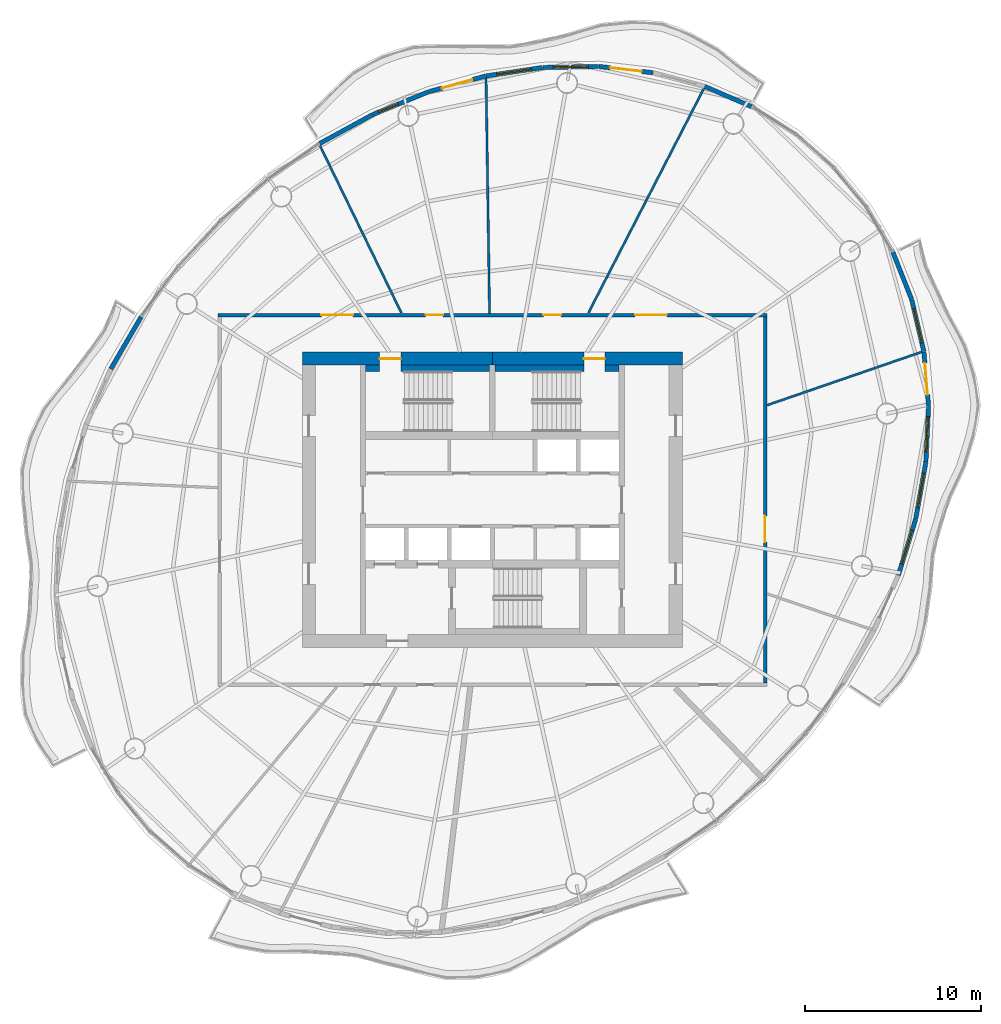
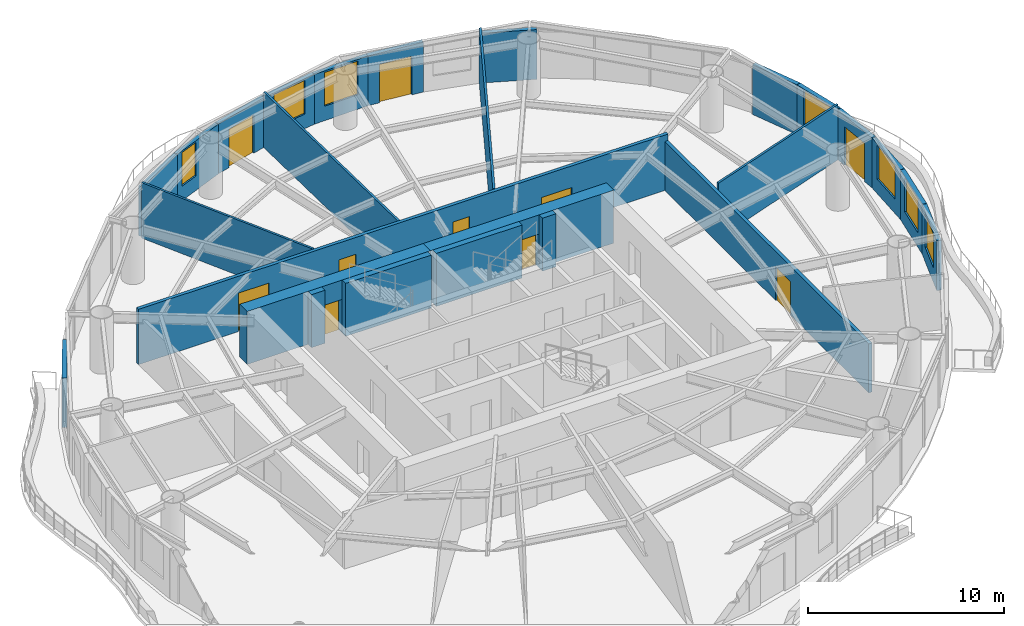
# One storey, part 10 of 14: 26 walls, 10 doors, 7 windows, 17 openings.
"""IFC4 building model written with IfcOpenShell, lengths in metres."""

from ifc_helpers import new_model, si_unit, direction, frame, frame_2d, origin, place, context, subcontext, project, spatial, rectangle, extrude, material, layer, layer_set, type_object, element, fill, save


model = new_model("IFC4")

# Units and contexts
model_context = context("Model", 3, precision=1e-05, world=origin(), true_north=direction((0.0, 1.0)))
body_context = subcontext(model_context, "Body", "Model", "MODEL_VIEW")
ifc_project = project(units=[si_unit("LENGTHUNIT", "METRE"), si_unit("AREAUNIT", "SQUARE_METRE"), si_unit("VOLUMEUNIT", "CUBIC_METRE"), si_unit("PLANEANGLEUNIT", "RADIAN"), si_unit("MASSUNIT", "GRAM", prefix="KILO")], contexts=[model_context])

# Site, building, storey
site_placement = place(None, origin())
site = spatial("IfcSite", under=ifc_project, at=site_placement, CompositionType="ELEMENT")
building_placement = place(site_placement, origin())
building = spatial("IfcBuilding", under=site, at=building_placement, Name="Vermilion Reach Broadcast Tower", CompositionType="ELEMENT")
storey_placement = place(building_placement, frame((0.0, 0.0, 210.10009765625)))
storey = spatial("IfcBuildingStorey", under=building, at=storey_placement, Name="L51", CompositionType="ELEMENT", Elevation=210.10009765625)

# Wall, opening, door
ifc_material_1 = material(Name="Concrete C60", Category="concrete")
ifc_layer_1 = layer(ifc_material_1, 0.75)
ifc_layer_set_1 = layer_set([ifc_layer_1], Name="Core outer wall 750 mm Concrete C60")
wall_type_1 = type_object("IfcWallType", Name="Core outer wall 750 mm Concrete C60", PredefinedType="SHEAR", material=ifc_layer_set_1)
wall_1_placement = place(storey_placement, frame((4.800048828125, 8.02490234375, 0.0), z_axis=(0.0, 0.0, 1.0), x_axis=(-1.0, 0.0, 0.0)))
wall_1 = element("IfcWall", 1, at=wall_1_placement, inside=storey, type_object=wall_type_1, Name="L51 core wall onE", PredefinedType="SHEAR", context=body_context, shape_type="SweptSolid", body=[
    extrude(rectangle(XDim=10.800048828125, YDim=0.75, at=frame_2d((5.39990234375, 0.0))), origin(), (0.0, 0.0, 1.0), 3.2998046875),
])
opening_1_placement = place(wall_1_placement, frame((4.39990234375, 0.0, 0.0)))
opening_1 = element("IfcOpeningElement", 2, at=opening_1_placement, cuts=wall_1, Name="Opening D01", PredefinedType="OPENING", context=body_context, shape_type="SweptSolid", body=[
    extrude(rectangle(XDim=1.199951171875, YDim=2.10009765625, at=frame_2d((0.60009765625, 1.050048828125))), frame((0.0, 0.385009765625, 0.0), z_axis=(0.0, -1.0, 0.0), x_axis=(1.0, 0.0, 0.0)), (0.0, 0.0, 1.0), 0.77001953125),
])
ifc_material_2 = material(Name="Painted steel fire door", Category="steel")
door_type_1 = type_object("IfcDoorType", Name="Stair door 1200 x 2100", OperationType="DOUBLE_DOOR_SINGLE_SWING", PredefinedType="NOTDEFINED", material=ifc_material_2)
door_1_placement = place(opening_1_placement, origin())
door_1 = element("IfcDoor", 3, at=door_1_placement, inside=storey, type_object=door_type_1, Name="L51 stair door ST2", OperationType="DOUBLE_DOOR_SINGLE_SWING", OverallHeight=2.10009765625, OverallWidth=1.199951171875, PredefinedType="NOTDEFINED", context=body_context, shape_type="SweptSolid", body=[
    extrude(rectangle(XDim=1.199951171875, YDim=2.10009765625, at=frame_2d((0.60009765625, 1.050048828125))), frame((0.0, 0.02490234375, 0.0), z_axis=(0.0, -1.0, 0.0), x_axis=(1.0, 0.0, 0.0)), (0.0, 0.0, 1.0), 0.050048828125),
])
fill(opening_1, door_1)

wall_2_placement = place(storey_placement, frame((-6.0, 8.02490234375, 0.0), z_axis=(0.0, 0.0, 1.0), x_axis=(-1.0, 0.0, 0.0)))
wall_2 = element("IfcWall", 4, at=wall_2_placement, inside=storey, type_object=wall_type_1, Name="L51 core wall onW", PredefinedType="SHEAR", context=body_context, shape_type="SweptSolid", body=[
    extrude(rectangle(XDim=10.800048828125, YDim=0.75, at=frame_2d((5.39990234375, 0.0))), origin(), (0.0, 0.0, 1.0), 3.2998046875),
])
opening_2_placement = place(wall_2_placement, frame((5.199951171875, 0.0, 0.0)))
opening_2 = element("IfcOpeningElement", 5, at=opening_2_placement, cuts=wall_2, Name="Opening D01", PredefinedType="OPENING", context=body_context, shape_type="SweptSolid", body=[
    extrude(rectangle(XDim=1.199951171875, YDim=2.10009765625, at=frame_2d((0.60009765625, 1.050048828125))), frame((0.0, 0.385009765625, 0.0), z_axis=(0.0, -1.0, 0.0), x_axis=(1.0, 0.0, 0.0)), (0.0, 0.0, 1.0), 0.77001953125),
])
door_2_placement = place(opening_2_placement, origin())
door_2 = element("IfcDoor", 6, at=door_2_placement, inside=storey, type_object=door_type_1, Name="L51 stair door ST1", OperationType="DOUBLE_DOOR_SINGLE_SWING", OverallHeight=2.10009765625, OverallWidth=1.199951171875, PredefinedType="NOTDEFINED", context=body_context, shape_type="SweptSolid", body=[
    extrude(rectangle(XDim=1.199951171875, YDim=2.10009765625, at=frame_2d((0.60009765625, 1.050048828125))), frame((0.0, 0.02490234375, 0.0), z_axis=(0.0, -1.0, 0.0), x_axis=(1.0, 0.0, 0.0)), (0.0, 0.0, 1.0), 0.050048828125),
])
fill(opening_2, door_2)

# Walls
ifc_material_3 = material(Name="Concrete C60", Category="concrete")
ifc_layer_2 = layer(ifc_material_3, 0.35009765625)
ifc_layer_set_2 = layer_set([ifc_layer_2], Name="Core stair wall 350 mm Concrete C60")
wall_type_2 = type_object("IfcWallType", Name="Core stair wall 350 mm Concrete C60", PredefinedType="SHEAR", material=ifc_layer_set_2)
wall_3_placement = place(storey_placement, frame((-13.199951171875, 7.47509765625, 0.0), z_axis=(0.0, 0.0, 1.0), x_axis=(1.0, 0.0, 0.0)))
element("IfcWall", 7, at=wall_3_placement, inside=storey, type_object=wall_type_2, Name="L51 core wall l1a", PredefinedType="SHEAR", context=body_context, shape_type="SweptSolid", body=[
    extrude(rectangle(XDim=0.800048828125, YDim=0.35009765625, at=frame_2d((0.39990234375, 0.0))), origin(), (0.0, 0.0, 1.0), 3.2998046875),
])
for number, where, z_axis, x_axis, name in (
    (8, (-11.199951171875, 7.47509765625, 0.0), (0.0, 0.0, 1.0), (1.0, 0.0, 0.0), "L51 core wall l1b"),
    (9, (-5.85009765625, 7.47509765625, 0.0), (0.0, 0.0, 1.0), (1.0, 0.0, 0.0), "L51 core wall l2a"),
):
    element("IfcWall", number, at=place(storey_placement, frame(where, z_axis=z_axis, x_axis=x_axis)), inside=storey, type_object=wall_type_2, Name=name, PredefinedType="SHEAR", context=body_context, shape_type="SweptSolid", body=[
        extrude(rectangle(XDim=5.050048828125, YDim=0.35009765625, at=frame_2d((2.52490234375, 0.0))), origin(), (0.0, 0.0, 1.0), 3.2998046875),
    ])
wall_4_placement = place(storey_placement, frame((0.39990234375, 7.47509765625, 0.0), z_axis=(0.0, 0.0, 1.0), x_axis=(1.0, 0.0, 0.0)))
element("IfcWall", 10, at=wall_4_placement, inside=storey, type_object=wall_type_2, Name="L51 core wall l2b", PredefinedType="SHEAR", context=body_context, shape_type="SweptSolid", body=[
    extrude(rectangle(XDim=0.800048828125, YDim=0.35009765625, at=frame_2d((0.39990234375, 0.0))), origin(), (0.0, 0.0, 1.0), 3.2998046875),
])

# Wall, openings, doors
ifc_material_4 = material(Name="Fire-rated gypsum board partition")
ifc_layer_3 = layer(ifc_material_4, 0.199951171875)
ifc_layer_set_3 = layer_set([ifc_layer_3], Name="Corridor wall 200 fire-rated")
wall_type_3 = type_object("IfcWallType", Name="Corridor wall 200 fire-rated", PredefinedType="PARTITIONING", material=ifc_layer_set_3)
wall_5_placement = place(storey_placement, frame((-21.60009765625, 10.5, 0.0), z_axis=(0.0, 0.0, 1.0), x_axis=(1.0, 0.0, 0.0)))
wall_5 = element("IfcWall", 11, at=wall_5_placement, inside=storey, type_object=wall_type_3, Name="Corridor wall 51.N", PredefinedType="PARTITIONING", context=body_context, shape_type="SweptSolid", body=[
    extrude(rectangle(XDim=31.2001953125, YDim=0.199951171875, at=frame_2d((15.60009765625, 0.0))), origin(), (0.0, 0.0, 1.0), 3.449951171875),
])
opening_3_placement = place(wall_5_placement, frame((18.5048828125, 0.0, 0.0)))
opening_3 = element("IfcOpeningElement", 12, at=opening_3_placement, cuts=wall_5, Name="Opening D23", PredefinedType="OPENING", context=body_context, shape_type="SweptSolid", body=[
    extrude(rectangle(XDim=1.0, YDim=2.39990234375, at=frame_2d((0.5, 1.199951171875))), frame((0.0, 0.10986328125, 0.0), z_axis=(0.0, -1.0, 0.0), x_axis=(1.0, 0.0, 0.0)), (0.0, 0.0, 1.0), 0.219970703125),
])
opening_4_placement = place(wall_5_placement, frame((11.807861328125, 0.0, 0.0)))
opening_4 = element("IfcOpeningElement", 13, at=opening_4_placement, cuts=wall_5, Name="Opening D23", PredefinedType="OPENING", context=body_context, shape_type="SweptSolid", body=[
    extrude(rectangle(XDim=1.0, YDim=2.39990234375, at=frame_2d((0.5, 1.199951171875))), frame((0.0, 0.10986328125, 0.0), z_axis=(0.0, -1.0, 0.0), x_axis=(1.0, 0.0, 0.0)), (0.0, 0.0, 1.0), 0.219970703125),
])
opening_5_placement = place(wall_5_placement, frame((5.885009765625, 0.0, 0.0)))
opening_5 = element("IfcOpeningElement", 14, at=opening_5_placement, cuts=wall_5, Name="Opening D27", PredefinedType="OPENING", context=body_context, shape_type="SweptSolid", body=[
    extrude(rectangle(XDim=1.800048828125, YDim=2.39990234375, at=frame_2d((0.89990234375, 1.199951171875))), frame((0.0, 0.10986328125, 0.0), z_axis=(0.0, -1.0, 0.0), x_axis=(1.0, 0.0, 0.0)), (0.0, 0.0, 1.0), 0.219970703125),
])
opening_6_placement = place(wall_5_placement, frame((23.721923828125, 0.0, 0.0)))
opening_6 = element("IfcOpeningElement", 15, at=opening_6_placement, cuts=wall_5, Name="Opening D21", PredefinedType="OPENING", context=body_context, shape_type="SweptSolid", body=[
    extrude(rectangle(XDim=1.800048828125, YDim=2.10009765625, at=frame_2d((0.89990234375, 1.050048828125))), frame((0.0, 0.10986328125, 0.0), z_axis=(0.0, -1.0, 0.0), x_axis=(1.0, 0.0, 0.0)), (0.0, 0.0, 1.0), 0.219970703125),
])
ifc_material_5 = material(Name="Timber door leaf", Category="wood")
door_type_2 = type_object("IfcDoorType", Name="Door pair 1800x2100", OperationType="NOTDEFINED", PredefinedType="DOOR", material=ifc_material_5)
door_3_placement = place(opening_6_placement, origin())
door_3 = element("IfcDoor", 16, at=door_3_placement, inside=storey, type_object=door_type_2, Name="Door 51.10", OperationType="DOUBLE_DOOR_SINGLE_SWING", OverallHeight=2.10009765625, OverallWidth=1.800048828125, PredefinedType="DOOR", context=body_context, shape_type="SweptSolid", body=[
    extrude(rectangle(XDim=1.800048828125, YDim=2.10009765625, at=frame_2d((0.89990234375, 1.050048828125))), frame((0.0, 0.02490234375, 0.0), z_axis=(0.0, -1.0, 0.0), x_axis=(1.0, 0.0, 0.0)), (0.0, 0.0, 1.0), 0.050048828125),
])
fill(opening_6, door_3)
ifc_material_6 = material(Name="Acoustic timber door leaf", Category="wood")
door_type_3 = type_object("IfcDoorType", Name="Door pair 1800x2400", OperationType="NOTDEFINED", PredefinedType="DOOR", material=ifc_material_6)
door_4_placement = place(opening_5_placement, origin())
door_4 = element("IfcDoor", 17, at=door_4_placement, inside=storey, type_object=door_type_3, Name="Door 51.03", OperationType="DOUBLE_DOOR_SINGLE_SWING", OverallHeight=2.39990234375, OverallWidth=1.800048828125, PredefinedType="DOOR", context=body_context, shape_type="SweptSolid", body=[
    extrude(rectangle(XDim=1.800048828125, YDim=2.39990234375, at=frame_2d((0.89990234375, 1.199951171875))), frame((0.0, 0.02490234375, 0.0), z_axis=(0.0, -1.0, 0.0), x_axis=(1.0, 0.0, 0.0)), (0.0, 0.0, 1.0), 0.050048828125),
])
fill(opening_5, door_4)
ifc_material_7 = material(Name="Veneered timber door leaf", Category="wood")
door_type_4 = type_object("IfcDoorType", Name="Door single 1000x2400", OperationType="NOTDEFINED", PredefinedType="DOOR", material=ifc_material_7)
door_5_placement = place(opening_3_placement, origin())
door_5 = element("IfcDoor", 18, at=door_5_placement, inside=storey, type_object=door_type_4, Name="Door 51.01", OperationType="SINGLE_SWING_RIGHT", OverallHeight=2.39990234375, OverallWidth=1.0, PredefinedType="DOOR", context=body_context, shape_type="SweptSolid", body=[
    extrude(rectangle(XDim=1.0, YDim=2.39990234375, at=frame_2d((0.5, 1.199951171875))), frame((0.0, 0.02490234375, 0.0), z_axis=(0.0, -1.0, 0.0), x_axis=(1.0, 0.0, 0.0)), (0.0, 0.0, 1.0), 0.050048828125),
])
fill(opening_3, door_5)
door_6_placement = place(opening_4_placement, origin())
door_6 = element("IfcDoor", 19, at=door_6_placement, inside=storey, type_object=door_type_4, Name="Door 51.02", OperationType="SINGLE_SWING_LEFT", OverallHeight=2.39990234375, OverallWidth=1.0, PredefinedType="DOOR", context=body_context, shape_type="SweptSolid", body=[
    extrude(rectangle(XDim=1.0, YDim=2.39990234375, at=frame_2d((0.5, 1.199951171875))), frame((0.0, 0.02490234375, 0.0), z_axis=(0.0, -1.0, 0.0), x_axis=(1.0, 0.0, 0.0)), (0.0, 0.0, 1.0), 0.050048828125),
])
fill(opening_4, door_6)

# Walls
ifc_material_8 = material(Name="Fire-rated plasterboard on steel stud", Category="steel")
ifc_layer_4 = layer(ifc_material_8, 0.125)
ifc_layer_set_4 = layer_set([ifc_layer_4], Name="Partition 125 fire-rated stud")
wall_type_4 = type_object("IfcWallType", Name="Partition 125 fire-rated stud", PredefinedType="PARTITIONING", material=ifc_layer_set_4)
wall_6_placement = place(storey_placement, frame((6.025146484375, 23.376708984375, 0.0), z_axis=(0.0, 0.0, 1.0), x_axis=(-0.457443054826, -0.889238917047, 0.0)))
element("IfcWall", 20, at=wall_6_placement, inside=storey, type_object=wall_type_4, Name="Partition 51.01", PredefinedType="PARTITIONING", context=body_context, shape_type="SweptSolid", body=[
    extrude(rectangle(XDim=14.3359375, YDim=0.125, at=frame_2d((7.16796875, 0.0))), origin(), (0.0, 0.0, 1.0), 3.449951171875),
])
wall_7_placement = place(storey_placement, frame((-6.354736328125, 23.9619140625, 0.0), z_axis=(0.0, 0.0, 1.0), x_axis=(0.014799117337, -0.999890487066, 0.0)))
element("IfcWall", 21, at=wall_7_placement, inside=storey, type_object=wall_type_4, Name="Partition 51.02", PredefinedType="PARTITIONING", context=body_context, shape_type="SweptSolid", body=[
    extrude(rectangle(XDim=13.362548828125, YDim=0.125, at=frame_2d((6.68115234375, 0.0))), origin(), (0.0, 0.0, 1.0), 3.449951171875),
])
wall_8_placement = place(storey_placement, frame((-15.788818359375, 20.11962890625, 0.0), z_axis=(0.0, 0.0, 1.0), x_axis=(0.437510703661, -0.899213202851, 0.0)))
element("IfcWall", 22, at=wall_8_placement, inside=storey, type_object=wall_type_4, Name="Partition 51.03", PredefinedType="PARTITIONING", context=body_context, shape_type="SweptSolid", body=[
    extrude(rectangle(XDim=10.55615234375, YDim=0.125, at=frame_2d((5.278076171875, 0.0))), origin(), (0.0, 0.0, 1.0), 3.449951171875),
])
wall_9_placement = place(storey_placement, frame((18.40234375, 8.4033203125, 0.0), z_axis=(0.0, 0.0, 1.0), x_axis=(-0.945508934878, -0.325596151798, 0.0)))
element("IfcWall", 23, at=wall_9_placement, inside=storey, type_object=wall_type_4, Name="Partition 51.10", PredefinedType="PARTITIONING", context=body_context, shape_type="SweptSolid", body=[
    extrude(rectangle(XDim=9.2880859375, YDim=0.125, at=frame_2d((4.64404296875, 0.0))), origin(), (0.0, 0.0, 1.0), 3.449951171875),
])
ifc_material_9 = material(Name="Terracotta rainscreen cladding", Category="masonry")
ifc_layer_5 = layer(ifc_material_9, 0.25)
ifc_layer_set_5 = layer_set([ifc_layer_5], Name="Terracotta rainscreen wall 250")
wall_type_5 = type_object("IfcWallType", Name="Terracotta rainscreen wall 250", PredefinedType="SOLIDWALL", material=ifc_layer_set_5)
wall_10_placement = place(storey_placement, frame((8.73486328125, 22.34326171875, 0.0), z_axis=(0.0, 0.0, 1.0), x_axis=(-0.918186540839, 0.396148300794, 0.0)))
element("IfcWall", 24, at=wall_10_placement, inside=storey, type_object=wall_type_5, Name="External wall L51 02", PredefinedType="SOLIDWALL", context=body_context, shape_type="SweptSolid", body=[
    extrude(rectangle(XDim=2.8935546875, YDim=0.25, at=frame_2d((1.44677734375, 0.0))), origin(), (0.0, 0.0, 1.0), 3.099853515625),
])

# Wall, opening, door
wall_11_placement = place(storey_placement, frame((3.12548828125, 24.269775390625, 0.0), z_axis=(0.0, 0.0, 1.0), x_axis=(-0.993285162652, 0.115691770042, 0.0)))
wall_11 = element("IfcWall", 25, at=wall_11_placement, inside=storey, type_object=wall_type_5, Name="External wall L51 04", PredefinedType="SOLIDWALL", context=body_context, shape_type="SweptSolid", body=[
    extrude(rectangle(XDim=3.0810546875, YDim=0.25, at=frame_2d((1.54052734375, 0.0))), origin(), (0.0, 0.0, 1.0), 3.099853515625),
])
opening_7_placement = place(wall_11_placement, frame((0.64111328125, 0.0, 0.0)))
opening_7 = element("IfcOpeningElement", 26, at=opening_7_placement, cuts=wall_11, Name="Opening D70", PredefinedType="OPENING", context=body_context, shape_type="SweptSolid", body=[
    extrude(rectangle(XDim=1.800048828125, YDim=2.39990234375, at=frame_2d((0.89990234375, 1.199951171875))), frame((0.0, 0.135009765625, 0.0), z_axis=(0.0, -1.0, 0.0), x_axis=(1.0, 0.0, 0.0)), (0.0, 0.0, 1.0), 0.27001953125),
])
ifc_material_10 = material(Name="Low-e laminated clear glass in aluminium frame", Category="aluminium")
door_type_5 = type_object("IfcDoorType", Name="Balcony sliding door 1800 x 2400", OperationType="DOUBLE_DOOR_SLIDING", PredefinedType="DOOR", material=ifc_material_10)
door_7_placement = place(opening_7_placement, origin())
door_7 = element("IfcDoor", 27, at=door_7_placement, inside=storey, type_object=door_type_5, Name="Balcony door L51 run 01", OperationType="DOUBLE_DOOR_SLIDING", OverallHeight=2.39990234375, OverallWidth=1.800048828125, PredefinedType="DOOR", context=body_context, shape_type="SweptSolid", body=[
    extrude(rectangle(XDim=1.800048828125, YDim=2.39990234375, at=frame_2d((0.89990234375, 1.199951171875))), frame((0.0, 0.02490234375, 0.0), z_axis=(0.0, -1.0, 0.0), x_axis=(1.0, 0.0, 0.0)), (0.0, 0.0, 1.0), 0.050048828125),
])
fill(opening_7, door_7)

# Wall, opening, window
wall_12_placement = place(storey_placement, frame((0.040283203125, 24.62744140625, 0.0), z_axis=(0.0, 0.0, 1.0), x_axis=(-0.999814312732, -0.019270185659, 0.0)))
wall_12 = element("IfcWall", 28, at=wall_12_placement, inside=storey, type_object=wall_type_5, Name="External wall L51 05", PredefinedType="SOLIDWALL", context=body_context, shape_type="SweptSolid", body=[
    extrude(rectangle(XDim=3.167236328125, YDim=0.25, at=frame_2d((1.58349609375, 0.0))), origin(), (0.0, 0.0, 1.0), 3.099853515625),
])
opening_8_placement = place(wall_12_placement, frame((0.583740234375, 0.0, 0.89990234375)))
opening_8 = element("IfcOpeningElement", 29, at=opening_8_placement, cuts=wall_12, Name="Opening W03", PredefinedType="OPENING", context=body_context, shape_type="SweptSolid", body=[
    extrude(rectangle(XDim=2.0, YDim=2.10009765625, at=frame_2d((1.0, 1.050048828125))), frame((0.0, 0.135009765625, 0.0), z_axis=(0.0, -1.0, 0.0), x_axis=(1.0, 0.0, 0.0)), (0.0, 0.0, 1.0), 0.27001953125),
])
ifc_material_11 = material(Name="Low-e laminated clear glass in aluminium frame", Category="aluminium")
window_type_1 = type_object("IfcWindowType", Name="Punched window 2000 x 2100 sill 900", PartitioningType="SINGLE_PANEL", PredefinedType="WINDOW", material=ifc_material_11)
window_1_placement = place(opening_8_placement, origin())
window_1 = element("IfcWindow", 30, at=window_1_placement, inside=storey, type_object=window_type_1, Name="Window L51 05", OverallHeight=2.10009765625, OverallWidth=2.0, PartitioningType="SINGLE_PANEL", PredefinedType="WINDOW", context=body_context, shape_type="SweptSolid", body=[
    extrude(rectangle(XDim=2.0, YDim=2.10009765625, at=frame_2d((1.0, 1.050048828125))), frame((0.0, 0.030029296875, 0.0), z_axis=(0.0, -1.0, 0.0), x_axis=(1.0, 0.0, 0.0)), (0.0, 0.0, 1.0), 0.06005859375),
])
fill(opening_8, window_1)

wall_13_placement = place(storey_placement, frame((-3.150390625, 24.564453125, 0.0), z_axis=(0.0, 0.0, 1.0), x_axis=(-0.989129217208, -0.147048943092, 0.0)))
wall_13 = element("IfcWall", 31, at=wall_13_placement, inside=storey, type_object=wall_type_5, Name="External wall L51 06", PredefinedType="SOLIDWALL", context=body_context, shape_type="SweptSolid", body=[
    extrude(rectangle(XDim=3.254150390625, YDim=0.25, at=frame_2d((1.626953125, 0.0))), origin(), (0.0, 0.0, 1.0), 3.099853515625),
])
opening_9_placement = place(wall_13_placement, frame((0.626953125, 0.0, 0.89990234375)))
opening_9 = element("IfcOpeningElement", 32, at=opening_9_placement, cuts=wall_13, Name="Opening W03", PredefinedType="OPENING", context=body_context, shape_type="SweptSolid", body=[
    extrude(rectangle(XDim=2.0, YDim=2.10009765625, at=frame_2d((1.0, 1.050048828125))), frame((0.0, 0.135009765625, 0.0), z_axis=(0.0, -1.0, 0.0), x_axis=(1.0, 0.0, 0.0)), (0.0, 0.0, 1.0), 0.27001953125),
])
window_2_placement = place(opening_9_placement, origin())
window_2 = element("IfcWindow", 33, at=window_2_placement, inside=storey, type_object=window_type_1, Name="Window L51 06", OverallHeight=2.10009765625, OverallWidth=2.0, PartitioningType="SINGLE_PANEL", PredefinedType="WINDOW", context=body_context, shape_type="SweptSolid", body=[
    extrude(rectangle(XDim=2.0, YDim=2.10009765625, at=frame_2d((1.0, 1.050048828125))), frame((0.0, 0.030029296875, 0.0), z_axis=(0.0, -1.0, 0.0), x_axis=(1.0, 0.0, 0.0)), (0.0, 0.0, 1.0), 0.06005859375),
])
fill(opening_9, window_2)

# Wall, opening, door
wall_14_placement = place(storey_placement, frame((-6.391845703125, 24.0810546875, 0.0), z_axis=(0.0, 0.0, 1.0), x_axis=(-0.963820322112, -0.266552784048, 0.0)))
wall_14 = element("IfcWall", 34, at=wall_14_placement, inside=storey, type_object=wall_type_5, Name="External wall L51 07", PredefinedType="SOLIDWALL", context=body_context, shape_type="SweptSolid", body=[
    extrude(rectangle(XDim=3.335693359375, YDim=0.25, at=frame_2d((1.66796875, 0.0))), origin(), (0.0, 0.0, 1.0), 3.099853515625),
])
opening_10_placement = place(wall_14_placement, frame((0.76806640625, 0.0, 0.0)))
opening_10 = element("IfcOpeningElement", 35, at=opening_10_placement, cuts=wall_14, Name="Opening D70", PredefinedType="OPENING", context=body_context, shape_type="SweptSolid", body=[
    extrude(rectangle(XDim=1.800048828125, YDim=2.39990234375, at=frame_2d((0.89990234375, 1.199951171875))), frame((0.0, 0.135009765625, 0.0), z_axis=(0.0, -1.0, 0.0), x_axis=(1.0, 0.0, 0.0)), (0.0, 0.0, 1.0), 0.27001953125),
])
door_8_placement = place(opening_10_placement, origin())
door_8 = element("IfcDoor", 36, at=door_8_placement, inside=storey, type_object=door_type_5, Name="Balcony door L51 run 02", OperationType="DOUBLE_DOOR_SLIDING", OverallHeight=2.39990234375, OverallWidth=1.800048828125, PredefinedType="DOOR", context=body_context, shape_type="SweptSolid", body=[
    extrude(rectangle(XDim=1.800048828125, YDim=2.39990234375, at=frame_2d((0.89990234375, 1.199951171875))), frame((0.0, 0.02490234375, 0.0), z_axis=(0.0, -1.0, 0.0), x_axis=(1.0, 0.0, 0.0)), (0.0, 0.0, 1.0), 0.050048828125),
])
fill(opening_10, door_8)

# Wall, opening, window
wall_15_placement = place(storey_placement, frame((-9.62841796875, 23.1845703125, 0.0), z_axis=(0.0, 0.0, 1.0), x_axis=(-0.926160966141, -0.377128446019, 0.0)))
wall_15 = element("IfcWall", 37, at=wall_15_placement, inside=storey, type_object=wall_type_5, Name="External wall L51 08", PredefinedType="SOLIDWALL", context=body_context, shape_type="SweptSolid", body=[
    extrude(rectangle(XDim=3.406982421875, YDim=0.25, at=frame_2d((1.70361328125, 0.0))), origin(), (0.0, 0.0, 1.0), 3.099853515625),
])
opening_11_placement = place(wall_15_placement, frame((1.85400390625, 0.0, 0.89990234375)))
opening_11 = element("IfcOpeningElement", 38, at=opening_11_placement, cuts=wall_15, Name="Opening W05", PredefinedType="OPENING", context=body_context, shape_type="SweptSolid", body=[
    extrude(rectangle(XDim=1.199951171875, YDim=2.10009765625, at=frame_2d((0.60009765625, 1.050048828125))), frame((0.0, 0.135009765625, 0.0), z_axis=(0.0, -1.0, 0.0), x_axis=(1.0, 0.0, 0.0)), (0.0, 0.0, 1.0), 0.27001953125),
])
ifc_material_12 = material(Name="Low-e laminated clear glass in aluminium frame", Category="aluminium")
window_type_2 = type_object("IfcWindowType", Name="Punched window 1200 x 2100 sill 900", PartitioningType="SINGLE_PANEL", PredefinedType="WINDOW", material=ifc_material_12)
window_3_placement = place(opening_11_placement, origin())
window_3 = element("IfcWindow", 39, at=window_3_placement, inside=storey, type_object=window_type_2, Name="Window L51 08", OverallHeight=2.10009765625, OverallWidth=1.199951171875, PartitioningType="SINGLE_PANEL", PredefinedType="WINDOW", context=body_context, shape_type="SweptSolid", body=[
    extrude(rectangle(XDim=1.199951171875, YDim=2.10009765625, at=frame_2d((0.60009765625, 1.050048828125))), frame((0.0, 0.030029296875, 0.0), z_axis=(0.0, -1.0, 0.0), x_axis=(1.0, 0.0, 0.0)), (0.0, 0.0, 1.0), 0.06005859375),
])
fill(opening_11, window_3)

# Walls
for number, where, z_axis, x_axis, name in (
    (40, (-12.803955078125, 21.89013671875, 0.0), (0.0, 0.0, 1.0), (-0.877865563138, -0.478907144503, 0.0), "External wall L51 09"),
    (41, (-25.9560546875, 10.395751953125, 0.0), (0.0, 0.0, 1.0), (-0.504456760021, -0.863436956164, 0.0), "External wall L51 14"),
):
    element("IfcWall", number, at=place(storey_placement, frame(where, z_axis=z_axis, x_axis=x_axis)), inside=storey, type_object=wall_type_5, Name=name, PredefinedType="SOLIDWALL", context=body_context, shape_type="SweptSolid", body=[
        extrude(rectangle(XDim=3.420166015625, YDim=0.25, at=frame_2d((1.7099609375, 0.0))), origin(), (0.0, 0.0, 1.0), 3.099853515625),
    ])

# Wall, opening, window
wall_16_placement = place(storey_placement, frame((17.076171875, -4.285400390625, 0.0), z_axis=(0.0, 0.0, 1.0), x_axis=(0.294651514305, 0.955604774537, 0.0)))
wall_16 = element("IfcWall", 42, at=wall_16_placement, inside=storey, type_object=wall_type_5, Name="External wall L51 40", PredefinedType="SOLIDWALL", context=body_context, shape_type="SweptSolid", body=[
    extrude(rectangle(XDim=3.3359375, YDim=0.25, at=frame_2d((1.66796875, 0.0))), origin(), (0.0, 0.0, 1.0), 3.099853515625),
])
opening_12_placement = place(wall_16_placement, frame((0.66796875, 0.0, 0.89990234375)))
opening_12 = element("IfcOpeningElement", 43, at=opening_12_placement, cuts=wall_16, Name="Opening W03", PredefinedType="OPENING", context=body_context, shape_type="SweptSolid", body=[
    extrude(rectangle(XDim=2.0, YDim=2.10009765625, at=frame_2d((1.0, 1.050048828125))), frame((0.0, 0.135009765625, 0.0), z_axis=(0.0, -1.0, 0.0), x_axis=(1.0, 0.0, 0.0)), (0.0, 0.0, 1.0), 0.27001953125),
])
window_4_placement = place(opening_12_placement, origin())
window_4 = element("IfcWindow", 44, at=window_4_placement, inside=storey, type_object=window_type_1, Name="Window L51 40", OverallHeight=2.10009765625, OverallWidth=2.0, PartitioningType="SINGLE_PANEL", PredefinedType="WINDOW", context=body_context, shape_type="SweptSolid", body=[
    extrude(rectangle(XDim=2.0, YDim=2.10009765625, at=frame_2d((1.0, 1.050048828125))), frame((0.0, 0.030029296875, 0.0), z_axis=(0.0, -1.0, 0.0), x_axis=(1.0, 0.0, 0.0)), (0.0, 0.0, 1.0), 0.06005859375),
])
fill(opening_12, window_4)

wall_17_placement = place(storey_placement, frame((18.064697265625, -1.0751953125, 0.0), z_axis=(0.0, 0.0, 1.0), x_axis=(0.176006154206, 0.984389066214, 0.0)))
wall_17 = element("IfcWall", 45, at=wall_17_placement, inside=storey, type_object=wall_type_5, Name="External wall L51 41", PredefinedType="SOLIDWALL", context=body_context, shape_type="SweptSolid", body=[
    extrude(rectangle(XDim=3.254150390625, YDim=0.25, at=frame_2d((1.626953125, 0.0))), origin(), (0.0, 0.0, 1.0), 3.099853515625),
])
opening_13_placement = place(wall_17_placement, frame((0.626953125, 0.0, 0.89990234375)))
opening_13 = element("IfcOpeningElement", 46, at=opening_13_placement, cuts=wall_17, Name="Opening W03", PredefinedType="OPENING", context=body_context, shape_type="SweptSolid", body=[
    extrude(rectangle(XDim=2.0, YDim=2.10009765625, at=frame_2d((1.0, 1.050048828125))), frame((0.0, 0.135009765625, 0.0), z_axis=(0.0, -1.0, 0.0), x_axis=(1.0, 0.0, 0.0)), (0.0, 0.0, 1.0), 0.27001953125),
])
window_5_placement = place(opening_13_placement, origin())
window_5 = element("IfcWindow", 47, at=window_5_placement, inside=storey, type_object=window_type_1, Name="Window L51 41", OverallHeight=2.10009765625, OverallWidth=2.0, PartitioningType="SINGLE_PANEL", PredefinedType="WINDOW", context=body_context, shape_type="SweptSolid", body=[
    extrude(rectangle(XDim=2.0, YDim=2.10009765625, at=frame_2d((1.0, 1.050048828125))), frame((0.0, 0.030029296875, 0.0), z_axis=(0.0, -1.0, 0.0), x_axis=(1.0, 0.0, 0.0)), (0.0, 0.0, 1.0), 0.06005859375),
])
fill(opening_13, window_5)

wall_18_placement = place(storey_placement, frame((18.64013671875, 2.152099609375, 0.0), z_axis=(0.0, 0.0, 1.0), x_axis=(0.048561254051, 0.998820206346, 0.0)))
wall_18 = element("IfcWall", 48, at=wall_18_placement, inside=storey, type_object=wall_type_5, Name="External wall L51 42", PredefinedType="SOLIDWALL", context=body_context, shape_type="SweptSolid", body=[
    extrude(rectangle(XDim=3.167236328125, YDim=0.25, at=frame_2d((1.58349609375, 0.0))), origin(), (0.0, 0.0, 1.0), 3.099853515625),
])
opening_14_placement = place(wall_18_placement, frame((0.583740234375, 0.0, 0.89990234375)))
opening_14 = element("IfcOpeningElement", 49, at=opening_14_placement, cuts=wall_18, Name="Opening W03", PredefinedType="OPENING", context=body_context, shape_type="SweptSolid", body=[
    extrude(rectangle(XDim=2.0, YDim=2.10009765625, at=frame_2d((1.0, 1.050048828125))), frame((0.0, 0.135009765625, 0.0), z_axis=(0.0, -1.0, 0.0), x_axis=(1.0, 0.0, 0.0)), (0.0, 0.0, 1.0), 0.27001953125),
])
window_6_placement = place(opening_14_placement, origin())
window_6 = element("IfcWindow", 50, at=window_6_placement, inside=storey, type_object=window_type_1, Name="Window L51 42", OverallHeight=2.10009765625, OverallWidth=2.0, PartitioningType="SINGLE_PANEL", PredefinedType="WINDOW", context=body_context, shape_type="SweptSolid", body=[
    extrude(rectangle(XDim=2.0, YDim=2.10009765625, at=frame_2d((1.0, 1.050048828125))), frame((0.0, 0.030029296875, 0.0), z_axis=(0.0, -1.0, 0.0), x_axis=(1.0, 0.0, 0.0)), (0.0, 0.0, 1.0), 0.06005859375),
])
fill(opening_14, window_6)

# Wall, opening, door
wall_19_placement = place(storey_placement, frame((18.79345703125, 5.340576171875, 0.0), z_axis=(0.0, 0.0, 1.0), x_axis=(-0.086527038648, 0.996249502676, 0.0)))
wall_19 = element("IfcWall", 51, at=wall_19_placement, inside=storey, type_object=wall_type_5, Name="External wall L51 43", PredefinedType="SOLIDWALL", context=body_context, shape_type="SweptSolid", body=[
    extrude(rectangle(XDim=3.0810546875, YDim=0.25, at=frame_2d((1.54052734375, 0.0))), origin(), (0.0, 0.0, 1.0), 3.099853515625),
])
opening_15_placement = place(wall_19_placement, frame((0.64111328125, 0.0, 0.0)))
opening_15 = element("IfcOpeningElement", 52, at=opening_15_placement, cuts=wall_19, Name="Opening D70", PredefinedType="OPENING", context=body_context, shape_type="SweptSolid", body=[
    extrude(rectangle(XDim=1.800048828125, YDim=2.39990234375, at=frame_2d((0.89990234375, 1.199951171875))), frame((0.0, 0.135009765625, 0.0), z_axis=(0.0, -1.0, 0.0), x_axis=(1.0, 0.0, 0.0)), (0.0, 0.0, 1.0), 0.27001953125),
])
door_9_placement = place(opening_15_placement, origin())
door_9 = element("IfcDoor", 53, at=door_9_placement, inside=storey, type_object=door_type_5, Name="Balcony door L51 run 11", OperationType="DOUBLE_DOOR_SLIDING", OverallHeight=2.39990234375, OverallWidth=1.800048828125, PredefinedType="DOOR", context=body_context, shape_type="SweptSolid", body=[
    extrude(rectangle(XDim=1.800048828125, YDim=2.39990234375, at=frame_2d((0.89990234375, 1.199951171875))), frame((0.0, 0.02490234375, 0.0), z_axis=(0.0, -1.0, 0.0), x_axis=(1.0, 0.0, 0.0)), (0.0, 0.0, 1.0), 0.050048828125),
])
fill(opening_15, door_9)

# Wall, opening, window
wall_20_placement = place(storey_placement, frame((18.522705078125, 8.435546875, 0.0), z_axis=(0.0, 0.0, 1.0), x_axis=(-0.226926203239, 0.973911956125, 0.0)))
wall_20 = element("IfcWall", 54, at=wall_20_placement, inside=storey, type_object=wall_type_5, Name="External wall L51 44", PredefinedType="SOLIDWALL", context=body_context, shape_type="SweptSolid", body=[
    extrude(rectangle(XDim=3.001708984375, YDim=0.25, at=frame_2d((1.5009765625, 0.0))), origin(), (0.0, 0.0, 1.0), 3.099853515625),
])
opening_16_placement = place(wall_20_placement, frame((0.500732421875, 0.0, 0.89990234375)))
opening_16 = element("IfcOpeningElement", 55, at=opening_16_placement, cuts=wall_20, Name="Opening W03", PredefinedType="OPENING", context=body_context, shape_type="SweptSolid", body=[
    extrude(rectangle(XDim=2.0, YDim=2.10009765625, at=frame_2d((1.0, 1.050048828125))), frame((0.0, 0.135009765625, 0.0), z_axis=(0.0, -1.0, 0.0), x_axis=(1.0, 0.0, 0.0)), (0.0, 0.0, 1.0), 0.27001953125),
])
window_7_placement = place(opening_16_placement, origin())
window_7 = element("IfcWindow", 56, at=window_7_placement, inside=storey, type_object=window_type_1, Name="Window L51 44", OverallHeight=2.10009765625, OverallWidth=2.0, PartitioningType="SINGLE_PANEL", PredefinedType="WINDOW", context=body_context, shape_type="SweptSolid", body=[
    extrude(rectangle(XDim=2.0, YDim=2.10009765625, at=frame_2d((1.0, 1.050048828125))), frame((0.0, 0.030029296875, 0.0), z_axis=(0.0, -1.0, 0.0), x_axis=(1.0, 0.0, 0.0)), (0.0, 0.0, 1.0), 0.06005859375),
])
fill(opening_16, window_7)

# Wall
wall_21_placement = place(storey_placement, frame((17.83349609375, 11.38427734375, 0.0), z_axis=(0.0, 0.0, 1.0), x_axis=(-0.369061887555, 0.929404821999, 0.0)))
element("IfcWall", 57, at=wall_21_placement, inside=storey, type_object=wall_type_5, Name="External wall L51 45", PredefinedType="SOLIDWALL", context=body_context, shape_type="SweptSolid", body=[
    extrude(rectangle(XDim=2.8935546875, YDim=0.25, at=frame_2d((1.44677734375, 0.0))), origin(), (0.0, 0.0, 1.0), 3.099853515625),
])

# Wall, opening, door
ifc_material_13 = material(Name="Fire-rated gypsum board partition")
ifc_layer_6 = layer(ifc_material_13, 0.199951171875)
ifc_layer_set_6 = layer_set([ifc_layer_6], Name="Under girder: Corridor wall 200 fire-rated")
wall_type_6 = type_object("IfcWallType", Name="Under girder: Corridor wall 200 fire-rated", PredefinedType="PARTITIONING", material=ifc_layer_set_6)
wall_22_placement = place(storey_placement, frame((9.5, 10.39990234375, 0.0), z_axis=(0.0, 0.0, 1.0), x_axis=(0.0, -1.0, 0.0)))
wall_22 = element("IfcWall", 58, at=wall_22_placement, inside=storey, type_object=wall_type_6, Name="Corridor wall 51.E", PredefinedType="PARTITIONING", context=body_context, shape_type="SweptSolid", body=[
    extrude(rectangle(XDim=20.7998046875, YDim=0.199951171875, at=frame_2d((10.39990234375, 0.0))), origin(), (0.0, 0.0, 1.0), 3.0498046875),
])
opening_17_placement = place(wall_22_placement, frame((11.306640625, 0.0, 0.0)))
opening_17 = element("IfcOpeningElement", 59, at=opening_17_placement, cuts=wall_22, Name="Opening D24", PredefinedType="OPENING", context=body_context, shape_type="SweptSolid", body=[
    extrude(rectangle(XDim=1.5, YDim=2.10009765625, at=frame_2d((0.75, 1.050048828125))), frame((0.0, 0.10986328125, 0.0), z_axis=(0.0, -1.0, 0.0), x_axis=(1.0, 0.0, 0.0)), (0.0, 0.0, 1.0), 0.219970703125),
])
ifc_material_14 = material(Name="Timber door leaf", Category="wood")
door_type_6 = type_object("IfcDoorType", Name="Door pair 1500x2100", OperationType="NOTDEFINED", PredefinedType="DOOR", material=ifc_material_14)
door_10_placement = place(opening_17_placement, origin())
door_10 = element("IfcDoor", 60, at=door_10_placement, inside=storey, type_object=door_type_6, Name="Door 51.09", OperationType="DOUBLE_DOOR_SINGLE_SWING", OverallHeight=2.10009765625, OverallWidth=1.5, PredefinedType="DOOR", context=body_context, shape_type="SweptSolid", body=[
    extrude(rectangle(XDim=1.5, YDim=2.10009765625, at=frame_2d((0.75, 1.050048828125))), frame((0.0, 0.02490234375, 0.0), z_axis=(0.0, -1.0, 0.0), x_axis=(1.0, 0.0, 0.0)), (0.0, 0.0, 1.0), 0.050048828125),
])
fill(opening_17, door_10)

save(model, "model.ifc")
